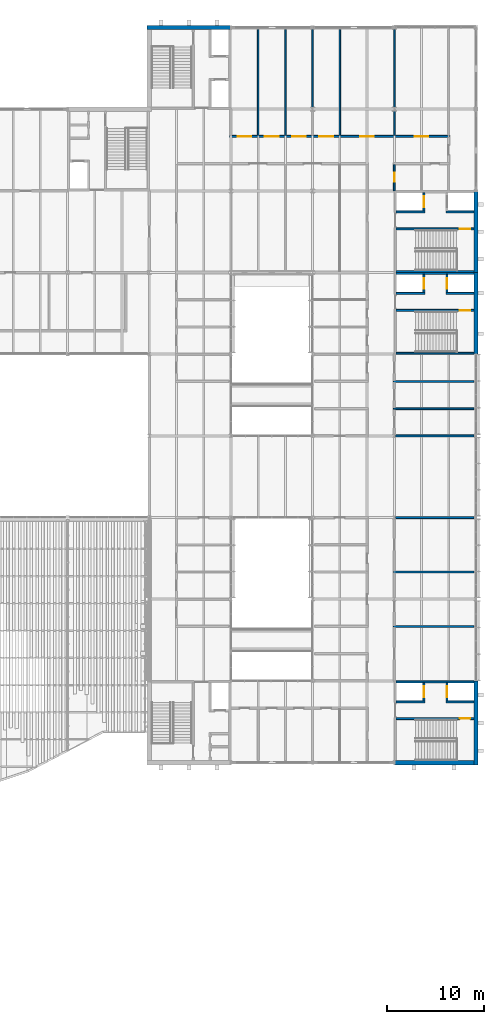
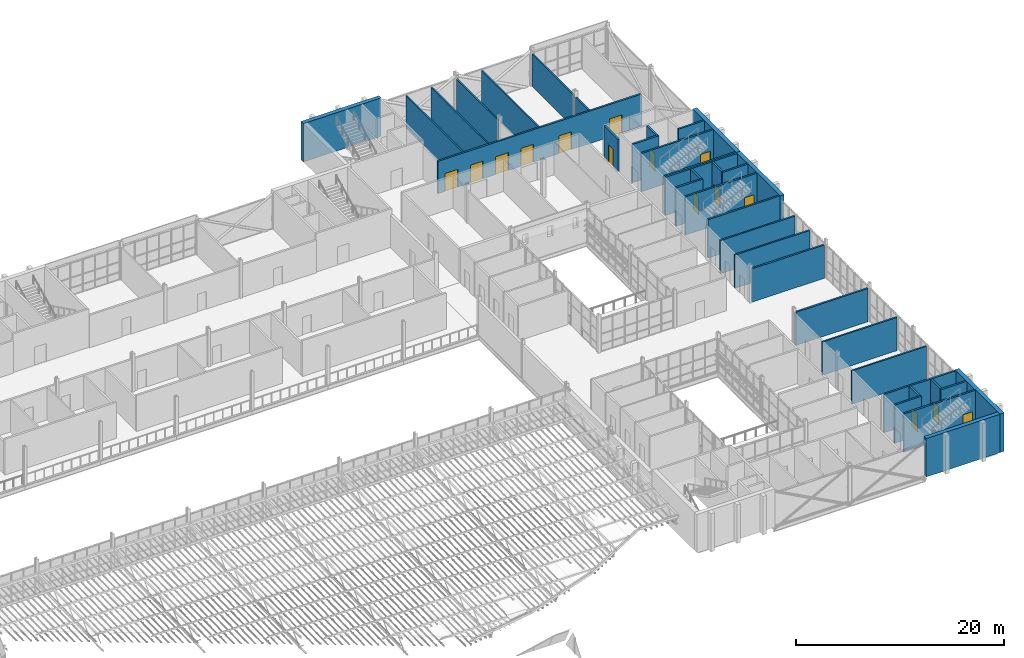
# One storey, part 95 of 129: 37 walls, 15 doors, 15 openings.
"""IFC4 building model written with IfcOpenShell, lengths in metres."""

from ifc_helpers import new_model, si_unit, direction, frame, frame_2d, origin, place, context, subcontext, project, spatial, rectangle, extrude, material, layer, layer_set, type_object, element, fill, save


model = new_model("IFC4")

# Units and contexts
model_context = context("Model", 3, precision=1e-05, world=origin(), true_north=direction((0.0, 1.0)))
body_context = subcontext(model_context, "Body", "Model", "MODEL_VIEW")
ifc_project = project(units=[si_unit("LENGTHUNIT", "METRE"), si_unit("AREAUNIT", "SQUARE_METRE"), si_unit("VOLUMEUNIT", "CUBIC_METRE"), si_unit("PLANEANGLEUNIT", "RADIAN"), si_unit("MASSUNIT", "GRAM", prefix="KILO")], contexts=[model_context])

# Site, building, storey
site_placement = place(None, origin())
site = spatial("IfcSite", under=ifc_project, at=site_placement, CompositionType="ELEMENT")
building_placement = place(site_placement, origin())
building = spatial("IfcBuilding", under=site, at=building_placement, Name="Ardhachandra Cancer Care Centre", CompositionType="ELEMENT")
storey_placement = place(building_placement, frame((0.0, 0.0, 4.5)))
storey = spatial("IfcBuildingStorey", under=building, at=storey_placement, Name="L01", CompositionType="ELEMENT", Elevation=4.5)

# Walls
ifc_material_1 = material(Name="Double-stud gypsum board partition with mineral wool")
ifc_layer_1 = layer(ifc_material_1, 0.179931640625)
ifc_layer_set_1 = layer_set([ifc_layer_1], Name="Double-stud gypsum board partition with mineral wool")
wall_type_1 = type_object("IfcWallType", Name="ACOUSTIC PARTITION 180", PredefinedType="PARTITIONING", material=ifc_layer_set_1)
for number, where, z_axis, x_axis, name in (
    (1, (136.699951171875, 43.39990234375, 0.0), (0.0, 0.0, 1.0), (1.0, 0.0, 0.0), "R/wall/L01/h0043400_0136700"),
    (2, (136.699951171875, 49.0, 0.0), (0.0, 0.0, 1.0), (1.0, 0.0, 0.0), "R/wall/L01/h0049000_0136700"),
    (3, (136.699951171875, 65.800048828125, 0.0), (0.0, 0.0, 1.0), (1.0, 0.0, 0.0), "R/wall/L01/h0065800_0136700"),
    (4, (136.699951171875, 68.60009765625, 0.0), (0.0, 0.0, 1.0), (1.0, 0.0, 0.0), "R/wall/L01/h0068600_0136700"),
):
    element("IfcWall", number, at=place(storey_placement, frame(where, z_axis=z_axis, x_axis=x_axis)), inside=storey, type_object=wall_type_1, Name=name, PredefinedType="PARTITIONING", context=body_context, shape_type="SweptSolid", body=[
        extrude(rectangle(XDim=8.275146484375, YDim=0.179931640625, at=frame_2d((4.1376953125, 0.0))), origin(), (0.0, 0.0, 1.0), 3.89990234375),
    ])
ifc_material_2 = material(Name="Gypsum board corridor partition on steel studs", Category="steel")
ifc_layer_2 = layer(ifc_material_2, 0.199951171875)
ifc_layer_set_2 = layer_set([ifc_layer_2], Name="Gypsum board corridor partition on steel studs")
wall_type_2 = type_object("IfcWallType", Name="CORRIDOR WALL 200", PredefinedType="PARTITIONING", material=ifc_layer_set_2)
for number, where, z_axis, x_axis, name in (
    (5, (136.949951171875, 54.60009765625, 0.0), (0.0, 0.0, 1.0), (1.0, 0.0, 0.0), "R/wall/L01/h0054600_0136950"),
    (6, (136.949951171875, 63.0, 0.0), (0.0, 0.0, 1.0), (1.0, 0.0, 0.0), "R/wall/L01/h0063000_0136950"),
):
    element("IfcWall", number, at=place(storey_placement, frame(where, z_axis=z_axis, x_axis=x_axis)), inside=storey, type_object=wall_type_2, Name=name, PredefinedType="PARTITIONING", context=body_context, shape_type="SweptSolid", body=[
        extrude(rectangle(XDim=8.025146484375, YDim=0.199951171875, at=frame_2d((4.0126953125, 0.0))), origin(), (0.0, 0.0, 1.0), 3.89990234375),
    ])

# Wall, openings, doors
wall_1_placement = place(storey_placement, frame((119.89990234375, 93.800048828125, 0.0), z_axis=(0.0, 0.0, 1.0), x_axis=(1.0, 0.0, 0.0)))
wall_1 = element("IfcWall", 7, at=wall_1_placement, inside=storey, type_object=wall_type_2, Name="R/wall/L01/h0093800_0119900", PredefinedType="PARTITIONING", context=body_context, shape_type="SweptSolid", body=[
    extrude(rectangle(XDim=22.60009765625, YDim=0.199951171875, at=frame_2d((11.300048828125, 0.0))), origin(), (0.0, 0.0, 1.0), 3.800048828125),
])
opening_1_placement = place(wall_1_placement, frame((0.800048828125, 0.0, 0.0)))
opening_1 = element("IfcOpeningElement", 8, at=opening_1_placement, cuts=wall_1, Name="Opening L01-0038", PredefinedType="OPENING", context=body_context, shape_type="SweptSolid", body=[
    extrude(rectangle(XDim=1.39990234375, YDim=2.10009765625, at=frame_2d((0.699951171875, 1.050048828125))), frame((0.0, 0.10986328125, 0.0), z_axis=(0.0, -1.0, 0.0), x_axis=(1.0, 0.0, 0.0)), (0.0, 0.0, 1.0), 0.219970703125),
])
opening_2_placement = place(wall_1_placement, frame((3.60009765625, 0.0, 0.0)))
opening_2 = element("IfcOpeningElement", 9, at=opening_2_placement, cuts=wall_1, Name="Opening L01-0039", PredefinedType="OPENING", context=body_context, shape_type="SweptSolid", body=[
    extrude(rectangle(XDim=1.39990234375, YDim=2.10009765625, at=frame_2d((0.699951171875, 1.050048828125))), frame((0.0, 0.10986328125, 0.0), z_axis=(0.0, -1.0, 0.0), x_axis=(1.0, 0.0, 0.0)), (0.0, 0.0, 1.0), 0.219970703125),
])
opening_3_placement = place(wall_1_placement, frame((6.39990234375, 0.0, 0.0)))
opening_3 = element("IfcOpeningElement", 10, at=opening_3_placement, cuts=wall_1, Name="Opening L01-0040", PredefinedType="OPENING", context=body_context, shape_type="SweptSolid", body=[
    extrude(rectangle(XDim=1.39990234375, YDim=2.10009765625, at=frame_2d((0.699951171875, 1.050048828125))), frame((0.0, 0.10986328125, 0.0), z_axis=(0.0, -1.0, 0.0), x_axis=(1.0, 0.0, 0.0)), (0.0, 0.0, 1.0), 0.219970703125),
])
opening_4_placement = place(wall_1_placement, frame((9.199951171875, 0.0, 0.0)))
opening_4 = element("IfcOpeningElement", 11, at=opening_4_placement, cuts=wall_1, Name="Opening L01-0041", PredefinedType="OPENING", context=body_context, shape_type="SweptSolid", body=[
    extrude(rectangle(XDim=1.39990234375, YDim=2.10009765625, at=frame_2d((0.699951171875, 1.050048828125))), frame((0.0, 0.10986328125, 0.0), z_axis=(0.0, -1.0, 0.0), x_axis=(1.0, 0.0, 0.0)), (0.0, 0.0, 1.0), 0.219970703125),
])
opening_5_placement = place(wall_1_placement, frame((13.39990234375, 0.0, 0.0)))
opening_5 = element("IfcOpeningElement", 12, at=opening_5_placement, cuts=wall_1, Name="Opening L01-0042", PredefinedType="OPENING", context=body_context, shape_type="SweptSolid", body=[
    extrude(rectangle(XDim=1.39990234375, YDim=2.10009765625, at=frame_2d((0.699951171875, 1.050048828125))), frame((0.0, 0.10986328125, 0.0), z_axis=(0.0, -1.0, 0.0), x_axis=(1.0, 0.0, 0.0)), (0.0, 0.0, 1.0), 0.219970703125),
])
opening_6_placement = place(wall_1_placement, frame((19.0, 0.0, 0.0)))
opening_6 = element("IfcOpeningElement", 13, at=opening_6_placement, cuts=wall_1, Name="Opening L01-0043", PredefinedType="OPENING", context=body_context, shape_type="SweptSolid", body=[
    extrude(rectangle(XDim=1.39990234375, YDim=2.10009765625, at=frame_2d((0.699951171875, 1.050048828125))), frame((0.0, 0.10986328125, 0.0), z_axis=(0.0, -1.0, 0.0), x_axis=(1.0, 0.0, 0.0)), (0.0, 0.0, 1.0), 0.219970703125),
])
ifc_material_3 = material(Name="Timber fire door with smoke seals", Category="wood")
door_type_1 = type_object("IfcDoorType", Name="BED ACCESS DOOR 1400x2100 FD30S", OperationType="NOTDEFINED", PredefinedType="DOOR", material=ifc_material_3)
door_1_placement = place(opening_1_placement, origin())
door_1 = element("IfcDoor", 14, at=door_1_placement, inside=storey, type_object=door_type_1, Name="Door L01-0038", OperationType="DOUBLE_DOOR_SINGLE_SWING", OverallHeight=2.10009765625, OverallWidth=1.39990234375, PredefinedType="DOOR", context=body_context, shape_type="SweptSolid", body=[
    extrude(rectangle(XDim=1.39990234375, YDim=2.10009765625, at=frame_2d((0.699951171875, 1.050048828125))), frame((0.0, 0.02490234375, 0.0), z_axis=(0.0, -1.0, 0.0), x_axis=(1.0, 0.0, 0.0)), (0.0, 0.0, 1.0), 0.050048828125),
])
fill(opening_1, door_1)
door_2_placement = place(opening_2_placement, origin())
door_2 = element("IfcDoor", 15, at=door_2_placement, inside=storey, type_object=door_type_1, Name="Door L01-0039", OperationType="DOUBLE_DOOR_SINGLE_SWING", OverallHeight=2.10009765625, OverallWidth=1.39990234375, PredefinedType="DOOR", context=body_context, shape_type="SweptSolid", body=[
    extrude(rectangle(XDim=1.39990234375, YDim=2.10009765625, at=frame_2d((0.699951171875, 1.050048828125))), frame((0.0, 0.02490234375, 0.0), z_axis=(0.0, -1.0, 0.0), x_axis=(1.0, 0.0, 0.0)), (0.0, 0.0, 1.0), 0.050048828125),
])
fill(opening_2, door_2)
door_3_placement = place(opening_3_placement, origin())
door_3 = element("IfcDoor", 16, at=door_3_placement, inside=storey, type_object=door_type_1, Name="Door L01-0040", OperationType="DOUBLE_DOOR_SINGLE_SWING", OverallHeight=2.10009765625, OverallWidth=1.39990234375, PredefinedType="DOOR", context=body_context, shape_type="SweptSolid", body=[
    extrude(rectangle(XDim=1.39990234375, YDim=2.10009765625, at=frame_2d((0.699951171875, 1.050048828125))), frame((0.0, 0.02490234375, 0.0), z_axis=(0.0, -1.0, 0.0), x_axis=(1.0, 0.0, 0.0)), (0.0, 0.0, 1.0), 0.050048828125),
])
fill(opening_3, door_3)
door_4_placement = place(opening_4_placement, origin())
door_4 = element("IfcDoor", 17, at=door_4_placement, inside=storey, type_object=door_type_1, Name="Door L01-0041", OperationType="DOUBLE_DOOR_SINGLE_SWING", OverallHeight=2.10009765625, OverallWidth=1.39990234375, PredefinedType="DOOR", context=body_context, shape_type="SweptSolid", body=[
    extrude(rectangle(XDim=1.39990234375, YDim=2.10009765625, at=frame_2d((0.699951171875, 1.050048828125))), frame((0.0, 0.02490234375, 0.0), z_axis=(0.0, -1.0, 0.0), x_axis=(1.0, 0.0, 0.0)), (0.0, 0.0, 1.0), 0.050048828125),
])
fill(opening_4, door_4)
door_5_placement = place(opening_5_placement, origin())
door_5 = element("IfcDoor", 18, at=door_5_placement, inside=storey, type_object=door_type_1, Name="Door L01-0042", OperationType="DOUBLE_DOOR_SINGLE_SWING", OverallHeight=2.10009765625, OverallWidth=1.39990234375, PredefinedType="DOOR", context=body_context, shape_type="SweptSolid", body=[
    extrude(rectangle(XDim=1.39990234375, YDim=2.10009765625, at=frame_2d((0.699951171875, 1.050048828125))), frame((0.0, 0.02490234375, 0.0), z_axis=(0.0, -1.0, 0.0), x_axis=(1.0, 0.0, 0.0)), (0.0, 0.0, 1.0), 0.050048828125),
])
fill(opening_5, door_5)
door_6_placement = place(opening_6_placement, origin())
door_6 = element("IfcDoor", 19, at=door_6_placement, inside=storey, type_object=door_type_1, Name="Door L01-0043", OperationType="DOUBLE_DOOR_SINGLE_SWING", OverallHeight=2.10009765625, OverallWidth=1.39990234375, PredefinedType="DOOR", context=body_context, shape_type="SweptSolid", body=[
    extrude(rectangle(XDim=1.39990234375, YDim=2.10009765625, at=frame_2d((0.699951171875, 1.050048828125))), frame((0.0, 0.02490234375, 0.0), z_axis=(0.0, -1.0, 0.0), x_axis=(1.0, 0.0, 0.0)), (0.0, 0.0, 1.0), 0.050048828125),
])
fill(opening_6, door_6)

# Wall, opening, door
wall_2_placement = place(storey_placement, frame((136.800048828125, 88.199951171875, 0.0), z_axis=(0.0, 0.0, 1.0), x_axis=(0.0, 1.0, 0.0)))
wall_2 = element("IfcWall", 20, at=wall_2_placement, inside=storey, type_object=wall_type_2, Name="R/wall/L01/v0136800_0088200", PredefinedType="PARTITIONING", context=body_context, shape_type="SweptSolid", body=[
    extrude(rectangle(XDim=2.699951171875, YDim=0.199951171875, at=frame_2d((1.35009765625, 0.0))), origin(), (0.0, 0.0, 1.0), 3.800048828125),
])
opening_7_placement = place(wall_2_placement, frame((0.949951171875, 0.0, 0.0)))
opening_7 = element("IfcOpeningElement", 21, at=opening_7_placement, cuts=wall_2, Name="Opening L01-0092", PredefinedType="OPENING", context=body_context, shape_type="SweptSolid", body=[
    extrude(rectangle(XDim=0.89990234375, YDim=2.10009765625, at=frame_2d((0.449951171875, 1.050048828125))), frame((0.0, 0.10986328125, 0.0), z_axis=(0.0, -1.0, 0.0), x_axis=(1.0, 0.0, 0.0)), (0.0, 0.0, 1.0), 0.219970703125),
])
ifc_material_4 = material(Name="Timber fire door with smoke seals", Category="wood")
door_type_2 = type_object("IfcDoorType", Name="FIRE DOOR WC 900x2100 FD30S", OperationType="NOTDEFINED", PredefinedType="DOOR", material=ifc_material_4)
door_7_placement = place(opening_7_placement, origin())
door_7 = element("IfcDoor", 22, at=door_7_placement, inside=storey, type_object=door_type_2, Name="Door L01-0092", OperationType="SINGLE_SWING_LEFT", OverallHeight=2.10009765625, OverallWidth=0.89990234375, PredefinedType="DOOR", context=body_context, shape_type="SweptSolid", body=[
    extrude(rectangle(XDim=0.89990234375, YDim=2.10009765625, at=frame_2d((0.449951171875, 1.050048828125))), frame((0.0, 0.02490234375, 0.0), z_axis=(0.0, -1.0, 0.0), x_axis=(1.0, 0.0, 0.0)), (0.0, 0.0, 1.0), 0.050048828125),
])
fill(opening_7, door_7)

# Walls
ifc_material_5 = material(Name="Concrete M40", Category="concrete")
ifc_layer_3 = layer(ifc_material_5, 0.449951171875)
ifc_layer_set_3 = layer_set([ifc_layer_3], Name="Concrete M40")
wall_type_3 = type_object("IfcWallType", Name="Core exterior wall RC 450", PredefinedType="SOLIDWALL", material=ifc_layer_set_3)
wall_3_placement = place(storey_placement, frame((145.199951171875, 29.175048828125, 0.0), z_axis=(0.0, 0.0, 1.0), x_axis=(0.0, 1.0, 0.0)))
element("IfcWall", 23, at=wall_3_placement, inside=storey, type_object=wall_type_3, Name="Core wall K9 FAR", PredefinedType="SOLIDWALL", context=body_context, shape_type="SweptSolid", body=[
    extrude(rectangle(XDim=8.625, YDim=0.449951171875, at=frame_2d((4.3125, 0.0))), origin(), (0.0, 0.0, 1.0), 4.5),
])
wall_4_placement = place(storey_placement, frame((136.800048828125, 29.39990234375, 0.0), z_axis=(0.0, 0.0, 1.0), x_axis=(1.0, 0.0, 0.0)))
element("IfcWall", 24, at=wall_4_placement, inside=storey, type_object=wall_type_3, Name="Core wall K9 UW", PredefinedType="SOLIDWALL", context=body_context, shape_type="SweptSolid", body=[
    extrude(rectangle(XDim=8.175048828125, YDim=0.449951171875, at=frame_2d((4.08740234375, 0.0))), origin(), (0.0, 0.0, 1.0), 4.5),
])
wall_5_placement = place(storey_placement, frame((145.199951171875, 71.39990234375, 0.0), z_axis=(0.0, 0.0, 1.0), x_axis=(0.0, 1.0, 0.0)))
element("IfcWall", 25, at=wall_5_placement, inside=storey, type_object=wall_type_3, Name="Core wall K10 FAR", PredefinedType="SOLIDWALL", context=body_context, shape_type="SweptSolid", body=[
    extrude(rectangle(XDim=8.400146484375, YDim=0.449951171875, at=frame_2d((4.2001953125, 0.0))), origin(), (0.0, 0.0, 1.0), 4.5),
])
wall_6_placement = place(storey_placement, frame((111.375, 105.0, 0.0), z_axis=(0.0, 0.0, 1.0), x_axis=(1.0, 0.0, 0.0)))
element("IfcWall", 26, at=wall_6_placement, inside=storey, type_object=wall_type_3, Name="Core wall K12 FAR", PredefinedType="SOLIDWALL", context=body_context, shape_type="SweptSolid", body=[
    extrude(rectangle(XDim=8.625, YDim=0.449951171875, at=frame_2d((4.3125, 0.0))), origin(), (0.0, 0.0, 1.0), 4.5),
])
wall_7_placement = place(storey_placement, frame((145.199951171875, 79.800048828125, 0.0), z_axis=(0.0, 0.0, 1.0), x_axis=(0.0, 1.0, 0.0)))
element("IfcWall", 27, at=wall_7_placement, inside=storey, type_object=wall_type_3, Name="Core wall K13 FAR", PredefinedType="SOLIDWALL", context=body_context, shape_type="SweptSolid", body=[
    extrude(rectangle(XDim=8.39990234375, YDim=0.449951171875, at=frame_2d((4.199951171875, 0.0))), origin(), (0.0, 0.0, 1.0), 4.5),
])
ifc_material_6 = material(Name="Concrete M40", Category="concrete")
ifc_layer_4 = layer(ifc_material_6, 0.199951171875)
ifc_layer_set_4 = layer_set([ifc_layer_4], Name="Concrete M40")
wall_type_4 = type_object("IfcWallType", Name="Core wall RC 200", PredefinedType="SOLIDWALL", material=ifc_layer_set_4)
wall_8_placement = place(storey_placement, frame((137.0, 37.699951171875, 0.0), z_axis=(0.0, 0.0, 1.0), x_axis=(1.0, 0.0, 0.0)))
element("IfcWall", 28, at=wall_8_placement, inside=storey, type_object=wall_type_4, Name="Core wall K9 UE", PredefinedType="SOLIDWALL", context=body_context, shape_type="SweptSolid", body=[
    extrude(rectangle(XDim=7.97509765625, YDim=0.199951171875, at=frame_2d((3.987548828125, 0.0))), origin(), (0.0, 0.0, 1.0), 4.5),
])

# Wall, opening, door
wall_9_placement = place(storey_placement, frame((137.0, 33.925048828125, 0.0), z_axis=(0.0, 0.0, 1.0), x_axis=(1.0, 0.0, 0.0)))
wall_9 = element("IfcWall", 29, at=wall_9_placement, inside=storey, type_object=wall_type_4, Name="Core wall K9 P1", PredefinedType="SOLIDWALL", context=body_context, shape_type="SweptSolid", body=[
    extrude(rectangle(XDim=7.97509765625, YDim=0.199951171875, at=frame_2d((3.987548828125, 0.0))), origin(), (0.0, 0.0, 1.0), 4.5),
])
opening_8_placement = place(wall_9_placement, frame((6.53759765625, 0.0, 0.0)))
opening_8 = element("IfcOpeningElement", 30, at=opening_8_placement, cuts=wall_9, Name="Opening L01-K09-2", PredefinedType="OPENING", context=body_context, shape_type="SweptSolid", body=[
    extrude(rectangle(XDim=1.10009765625, YDim=2.10009765625, at=frame_2d((0.550048828125, 1.050048828125))), frame((0.0, 0.10986328125, 0.0), z_axis=(0.0, -1.0, 0.0), x_axis=(1.0, 0.0, 0.0)), (0.0, 0.0, 1.0), 0.219970703125),
])
ifc_material_7 = material(Name="Steel door set", Category="steel")
door_type_3 = type_object("IfcDoorType", Name="Stair door 1100x2100 FD60S", OperationType="NOTDEFINED", PredefinedType="DOOR", material=ifc_material_7)
door_8_placement = place(opening_8_placement, origin())
door_8 = element("IfcDoor", 31, at=door_8_placement, inside=storey, type_object=door_type_3, Name="Stair door", OperationType="SINGLE_SWING_LEFT", OverallHeight=2.10009765625, OverallWidth=1.10009765625, PredefinedType="DOOR", context=body_context, shape_type="SweptSolid", body=[
    extrude(rectangle(XDim=1.10009765625, YDim=2.10009765625, at=frame_2d((0.550048828125, 1.050048828125))), frame((0.0, 0.02490234375, 0.0), z_axis=(0.0, -1.0, 0.0), x_axis=(1.0, 0.0, 0.0)), (0.0, 0.0, 1.0), 0.050048828125),
])
fill(opening_8, door_8)

# Walls
wall_10_placement = place(storey_placement, frame((137.0, 35.64990234375, 0.0), z_axis=(0.0, 0.0, 1.0), x_axis=(1.0, 0.0, 0.0)))
element("IfcWall", 32, at=wall_10_placement, inside=storey, type_object=wall_type_4, Name="Core wall K9 P2A", PredefinedType="SOLIDWALL", context=body_context, shape_type="SweptSolid", body=[
    extrude(rectangle(XDim=2.949951171875, YDim=0.199951171875, at=frame_2d((1.47509765625, 0.0))), origin(), (0.0, 0.0, 1.0), 4.5),
])
wall_11_placement = place(storey_placement, frame((142.125, 35.64990234375, 0.0), z_axis=(0.0, 0.0, 1.0), x_axis=(1.0, 0.0, 0.0)))
element("IfcWall", 33, at=wall_11_placement, inside=storey, type_object=wall_type_4, Name="Core wall K9 P2B", PredefinedType="SOLIDWALL", context=body_context, shape_type="SweptSolid", body=[
    extrude(rectangle(XDim=2.85009765625, YDim=0.199951171875, at=frame_2d((1.425048828125, 0.0))), origin(), (0.0, 0.0, 1.0), 4.5),
])

# Wall, opening, door
wall_12_placement = place(storey_placement, frame((139.85009765625, 35.75, 0.0), z_axis=(0.0, 0.0, 1.0), x_axis=(0.0, 1.0, 0.0)))
wall_12 = element("IfcWall", 34, at=wall_12_placement, inside=storey, type_object=wall_type_4, Name="Core wall K9 W1", PredefinedType="SOLIDWALL", context=body_context, shape_type="SweptSolid", body=[
    extrude(rectangle(XDim=1.85009765625, YDim=0.199951171875, at=frame_2d((0.925048828125, 0.0))), origin(), (0.0, 0.0, 1.0), 4.5),
])
opening_9_placement = place(wall_12_placement, frame((0.375, 0.0, 0.0)))
opening_9 = element("IfcOpeningElement", 35, at=opening_9_placement, cuts=wall_12, Name="Opening L01-K09-3", PredefinedType="OPENING", context=body_context, shape_type="SweptSolid", body=[
    extrude(rectangle(XDim=1.10009765625, YDim=2.10009765625, at=frame_2d((0.550048828125, 1.050048828125))), frame((0.0, 0.10986328125, 0.0), z_axis=(0.0, -1.0, 0.0), x_axis=(1.0, 0.0, 0.0)), (0.0, 0.0, 1.0), 0.219970703125),
])
ifc_material_8 = material(Name="Stainless steel (grade 304)", Category="steel")
door_type_4 = type_object("IfcDoorType", Name="Lift landing door 1100x2100", OperationType="DOUBLE_DOOR_SLIDING", PredefinedType="DOOR", material=ifc_material_8)
door_9_placement = place(opening_9_placement, origin())
door_9 = element("IfcDoor", 36, at=door_9_placement, inside=storey, type_object=door_type_4, Name="Lift landing door LF-K9-1", OperationType="DOUBLE_DOOR_SLIDING", OverallHeight=2.10009765625, OverallWidth=1.10009765625, PredefinedType="DOOR", context=body_context, shape_type="SweptSolid", body=[
    extrude(rectangle(XDim=1.10009765625, YDim=2.10009765625, at=frame_2d((0.550048828125, 1.050048828125))), frame((0.0, 0.02490234375, 0.0), z_axis=(0.0, -1.0, 0.0), x_axis=(1.0, 0.0, 0.0)), (0.0, 0.0, 1.0), 0.050048828125),
])
fill(opening_9, door_9)

wall_13_placement = place(storey_placement, frame((142.22509765625, 35.75, 0.0), z_axis=(0.0, 0.0, 1.0), x_axis=(0.0, 1.0, 0.0)))
wall_13 = element("IfcWall", 37, at=wall_13_placement, inside=storey, type_object=wall_type_4, Name="Core wall K9 W2", PredefinedType="SOLIDWALL", context=body_context, shape_type="SweptSolid", body=[
    extrude(rectangle(XDim=1.85009765625, YDim=0.199951171875, at=frame_2d((0.925048828125, 0.0))), origin(), (0.0, 0.0, 1.0), 4.5),
])
opening_10_placement = place(wall_13_placement, frame((0.375, 0.0, 0.0)))
opening_10 = element("IfcOpeningElement", 38, at=opening_10_placement, cuts=wall_13, Name="Opening L01-K09-4", PredefinedType="OPENING", context=body_context, shape_type="SweptSolid", body=[
    extrude(rectangle(XDim=1.10009765625, YDim=2.10009765625, at=frame_2d((0.550048828125, 1.050048828125))), frame((0.0, 0.10986328125, 0.0), z_axis=(0.0, -1.0, 0.0), x_axis=(1.0, 0.0, 0.0)), (0.0, 0.0, 1.0), 0.219970703125),
])
door_10_placement = place(opening_10_placement, origin())
door_10 = element("IfcDoor", 39, at=door_10_placement, inside=storey, type_object=door_type_4, Name="Lift landing door LF-K9-2", OperationType="DOUBLE_DOOR_SLIDING", OverallHeight=2.10009765625, OverallWidth=1.10009765625, PredefinedType="DOOR", context=body_context, shape_type="SweptSolid", body=[
    extrude(rectangle(XDim=1.10009765625, YDim=2.10009765625, at=frame_2d((0.550048828125, 1.050048828125))), frame((0.0, 0.02490234375, 0.0), z_axis=(0.0, -1.0, 0.0), x_axis=(1.0, 0.0, 0.0)), (0.0, 0.0, 1.0), 0.050048828125),
])
fill(opening_10, door_10)

# Walls
for number, where, z_axis, x_axis, name in (
    (40, (137.0, 71.5, 0.0), (0.0, 0.0, 1.0), (1.0, 0.0, 0.0), "Core wall K10 UW"),
    (41, (137.0, 79.699951171875, 0.0), (0.0, 0.0, 1.0), (1.0, 0.0, 0.0), "Core wall K10 UE"),
):
    element("IfcWall", number, at=place(storey_placement, frame(where, z_axis=z_axis, x_axis=x_axis)), inside=storey, type_object=wall_type_4, Name=name, PredefinedType="SOLIDWALL", context=body_context, shape_type="SweptSolid", body=[
        extrude(rectangle(XDim=7.97509765625, YDim=0.199951171875, at=frame_2d((3.987548828125, 0.0))), origin(), (0.0, 0.0, 1.0), 4.5),
    ])

# Wall, opening, door
wall_14_placement = place(storey_placement, frame((137.0, 75.89990234375, 0.0), z_axis=(0.0, 0.0, 1.0), x_axis=(1.0, 0.0, 0.0)))
wall_14 = element("IfcWall", 42, at=wall_14_placement, inside=storey, type_object=wall_type_4, Name="Core wall K10 P1", PredefinedType="SOLIDWALL", context=body_context, shape_type="SweptSolid", body=[
    extrude(rectangle(XDim=7.97509765625, YDim=0.199951171875, at=frame_2d((3.987548828125, 0.0))), origin(), (0.0, 0.0, 1.0), 4.5),
])
opening_11_placement = place(wall_14_placement, frame((6.53759765625, 0.0, 0.0)))
opening_11 = element("IfcOpeningElement", 43, at=opening_11_placement, cuts=wall_14, Name="Opening L01-K10-2", PredefinedType="OPENING", context=body_context, shape_type="SweptSolid", body=[
    extrude(rectangle(XDim=1.10009765625, YDim=2.10009765625, at=frame_2d((0.550048828125, 1.050048828125))), frame((0.0, 0.10986328125, 0.0), z_axis=(0.0, -1.0, 0.0), x_axis=(1.0, 0.0, 0.0)), (0.0, 0.0, 1.0), 0.219970703125),
])
door_11_placement = place(opening_11_placement, origin())
door_11 = element("IfcDoor", 44, at=door_11_placement, inside=storey, type_object=door_type_3, Name="Stair door", OperationType="SINGLE_SWING_LEFT", OverallHeight=2.10009765625, OverallWidth=1.10009765625, PredefinedType="DOOR", context=body_context, shape_type="SweptSolid", body=[
    extrude(rectangle(XDim=1.10009765625, YDim=2.10009765625, at=frame_2d((0.550048828125, 1.050048828125))), frame((0.0, 0.02490234375, 0.0), z_axis=(0.0, -1.0, 0.0), x_axis=(1.0, 0.0, 0.0)), (0.0, 0.0, 1.0), 0.050048828125),
])
fill(opening_11, door_11)

# Walls
wall_15_placement = place(storey_placement, frame((137.0, 77.64990234375, 0.0), z_axis=(0.0, 0.0, 1.0), x_axis=(1.0, 0.0, 0.0)))
element("IfcWall", 45, at=wall_15_placement, inside=storey, type_object=wall_type_4, Name="Core wall K10 P2A", PredefinedType="SOLIDWALL", context=body_context, shape_type="SweptSolid", body=[
    extrude(rectangle(XDim=2.949951171875, YDim=0.199951171875, at=frame_2d((1.47509765625, 0.0))), origin(), (0.0, 0.0, 1.0), 4.5),
])
wall_16_placement = place(storey_placement, frame((142.125, 77.64990234375, 0.0), z_axis=(0.0, 0.0, 1.0), x_axis=(1.0, 0.0, 0.0)))
element("IfcWall", 46, at=wall_16_placement, inside=storey, type_object=wall_type_4, Name="Core wall K10 P2B", PredefinedType="SOLIDWALL", context=body_context, shape_type="SweptSolid", body=[
    extrude(rectangle(XDim=2.85009765625, YDim=0.199951171875, at=frame_2d((1.425048828125, 0.0))), origin(), (0.0, 0.0, 1.0), 4.5),
])

# Wall, opening, door
wall_17_placement = place(storey_placement, frame((139.85009765625, 77.75, 0.0), z_axis=(0.0, 0.0, 1.0), x_axis=(0.0, 1.0, 0.0)))
wall_17 = element("IfcWall", 47, at=wall_17_placement, inside=storey, type_object=wall_type_4, Name="Core wall K10 W1", PredefinedType="SOLIDWALL", context=body_context, shape_type="SweptSolid", body=[
    extrude(rectangle(XDim=1.85009765625, YDim=0.199951171875, at=frame_2d((0.925048828125, 0.0))), origin(), (0.0, 0.0, 1.0), 4.5),
])
opening_12_placement = place(wall_17_placement, frame((0.375, 0.0, 0.0)))
opening_12 = element("IfcOpeningElement", 48, at=opening_12_placement, cuts=wall_17, Name="Opening L01-K10-3", PredefinedType="OPENING", context=body_context, shape_type="SweptSolid", body=[
    extrude(rectangle(XDim=1.10009765625, YDim=2.10009765625, at=frame_2d((0.550048828125, 1.050048828125))), frame((0.0, 0.10986328125, 0.0), z_axis=(0.0, -1.0, 0.0), x_axis=(1.0, 0.0, 0.0)), (0.0, 0.0, 1.0), 0.219970703125),
])
door_12_placement = place(opening_12_placement, origin())
door_12 = element("IfcDoor", 49, at=door_12_placement, inside=storey, type_object=door_type_4, Name="Lift landing door LF-K10-1", OperationType="DOUBLE_DOOR_SLIDING", OverallHeight=2.10009765625, OverallWidth=1.10009765625, PredefinedType="DOOR", context=body_context, shape_type="SweptSolid", body=[
    extrude(rectangle(XDim=1.10009765625, YDim=2.10009765625, at=frame_2d((0.550048828125, 1.050048828125))), frame((0.0, 0.02490234375, 0.0), z_axis=(0.0, -1.0, 0.0), x_axis=(1.0, 0.0, 0.0)), (0.0, 0.0, 1.0), 0.050048828125),
])
fill(opening_12, door_12)

wall_18_placement = place(storey_placement, frame((142.22509765625, 77.75, 0.0), z_axis=(0.0, 0.0, 1.0), x_axis=(0.0, 1.0, 0.0)))
wall_18 = element("IfcWall", 50, at=wall_18_placement, inside=storey, type_object=wall_type_4, Name="Core wall K10 W2", PredefinedType="SOLIDWALL", context=body_context, shape_type="SweptSolid", body=[
    extrude(rectangle(XDim=1.85009765625, YDim=0.199951171875, at=frame_2d((0.925048828125, 0.0))), origin(), (0.0, 0.0, 1.0), 4.5),
])
opening_13_placement = place(wall_18_placement, frame((0.375, 0.0, 0.0)))
opening_13 = element("IfcOpeningElement", 51, at=opening_13_placement, cuts=wall_18, Name="Opening L01-K10-4", PredefinedType="OPENING", context=body_context, shape_type="SweptSolid", body=[
    extrude(rectangle(XDim=1.10009765625, YDim=2.10009765625, at=frame_2d((0.550048828125, 1.050048828125))), frame((0.0, 0.10986328125, 0.0), z_axis=(0.0, -1.0, 0.0), x_axis=(1.0, 0.0, 0.0)), (0.0, 0.0, 1.0), 0.219970703125),
])
door_13_placement = place(opening_13_placement, origin())
door_13 = element("IfcDoor", 52, at=door_13_placement, inside=storey, type_object=door_type_4, Name="Lift landing door LF-K10-2", OperationType="DOUBLE_DOOR_SLIDING", OverallHeight=2.10009765625, OverallWidth=1.10009765625, PredefinedType="DOOR", context=body_context, shape_type="SweptSolid", body=[
    extrude(rectangle(XDim=1.10009765625, YDim=2.10009765625, at=frame_2d((0.550048828125, 1.050048828125))), frame((0.0, 0.02490234375, 0.0), z_axis=(0.0, -1.0, 0.0), x_axis=(1.0, 0.0, 0.0)), (0.0, 0.0, 1.0), 0.050048828125),
])
fill(opening_13, door_13)

# Wall
wall_19_placement = place(storey_placement, frame((137.0, 79.89990234375, 0.0), z_axis=(0.0, 0.0, 1.0), x_axis=(1.0, 0.0, 0.0)))
element("IfcWall", 53, at=wall_19_placement, inside=storey, type_object=wall_type_4, Name="Core wall K13 UW", PredefinedType="SOLIDWALL", context=body_context, shape_type="SweptSolid", body=[
    extrude(rectangle(XDim=7.97509765625, YDim=0.199951171875, at=frame_2d((3.987548828125, 0.0))), origin(), (0.0, 0.0, 1.0), 4.5),
])

# Wall, opening, door
wall_20_placement = place(storey_placement, frame((137.0, 84.300048828125, 0.0), z_axis=(0.0, 0.0, 1.0), x_axis=(1.0, 0.0, 0.0)))
wall_20 = element("IfcWall", 54, at=wall_20_placement, inside=storey, type_object=wall_type_4, Name="Core wall K13 P1", PredefinedType="SOLIDWALL", context=body_context, shape_type="SweptSolid", body=[
    extrude(rectangle(XDim=7.97509765625, YDim=0.199951171875, at=frame_2d((3.987548828125, 0.0))), origin(), (0.0, 0.0, 1.0), 4.5),
])
opening_14_placement = place(wall_20_placement, frame((6.53759765625, 0.0, 0.0)))
opening_14 = element("IfcOpeningElement", 55, at=opening_14_placement, cuts=wall_20, Name="Opening L01-K13-2", PredefinedType="OPENING", context=body_context, shape_type="SweptSolid", body=[
    extrude(rectangle(XDim=1.10009765625, YDim=2.10009765625, at=frame_2d((0.550048828125, 1.050048828125))), frame((0.0, 0.10986328125, 0.0), z_axis=(0.0, -1.0, 0.0), x_axis=(1.0, 0.0, 0.0)), (0.0, 0.0, 1.0), 0.219970703125),
])
door_14_placement = place(opening_14_placement, origin())
door_14 = element("IfcDoor", 56, at=door_14_placement, inside=storey, type_object=door_type_3, Name="Stair door", OperationType="SINGLE_SWING_LEFT", OverallHeight=2.10009765625, OverallWidth=1.10009765625, PredefinedType="DOOR", context=body_context, shape_type="SweptSolid", body=[
    extrude(rectangle(XDim=1.10009765625, YDim=2.10009765625, at=frame_2d((0.550048828125, 1.050048828125))), frame((0.0, 0.02490234375, 0.0), z_axis=(0.0, -1.0, 0.0), x_axis=(1.0, 0.0, 0.0)), (0.0, 0.0, 1.0), 0.050048828125),
])
fill(opening_14, door_14)

# Walls
wall_21_placement = place(storey_placement, frame((137.0, 86.050048828125, 0.0), z_axis=(0.0, 0.0, 1.0), x_axis=(1.0, 0.0, 0.0)))
element("IfcWall", 57, at=wall_21_placement, inside=storey, type_object=wall_type_4, Name="Core wall K13 P2A", PredefinedType="SOLIDWALL", context=body_context, shape_type="SweptSolid", body=[
    extrude(rectangle(XDim=2.949951171875, YDim=0.199951171875, at=frame_2d((1.47509765625, 0.0))), origin(), (0.0, 0.0, 1.0), 4.5),
])
wall_22_placement = place(storey_placement, frame((142.125, 86.050048828125, 0.0), z_axis=(0.0, 0.0, 1.0), x_axis=(1.0, 0.0, 0.0)))
element("IfcWall", 58, at=wall_22_placement, inside=storey, type_object=wall_type_4, Name="Core wall K13 P2B", PredefinedType="SOLIDWALL", context=body_context, shape_type="SweptSolid", body=[
    extrude(rectangle(XDim=2.85009765625, YDim=0.199951171875, at=frame_2d((1.425048828125, 0.0))), origin(), (0.0, 0.0, 1.0), 4.5),
])

# Wall, opening, door
wall_23_placement = place(storey_placement, frame((139.85009765625, 86.14990234375, 0.0), z_axis=(0.0, 0.0, 1.0), x_axis=(0.0, 1.0, 0.0)))
wall_23 = element("IfcWall", 59, at=wall_23_placement, inside=storey, type_object=wall_type_4, Name="Core wall K13 W1", PredefinedType="SOLIDWALL", context=body_context, shape_type="SweptSolid", body=[
    extrude(rectangle(XDim=1.85009765625, YDim=0.199951171875, at=frame_2d((0.925048828125, 0.0))), origin(), (0.0, 0.0, 1.0), 4.5),
])
opening_15_placement = place(wall_23_placement, frame((0.375, 0.0, 0.0)))
opening_15 = element("IfcOpeningElement", 60, at=opening_15_placement, cuts=wall_23, Name="Opening L01-K13-3", PredefinedType="OPENING", context=body_context, shape_type="SweptSolid", body=[
    extrude(rectangle(XDim=1.10009765625, YDim=2.10009765625, at=frame_2d((0.550048828125, 1.050048828125))), frame((0.0, 0.10986328125, 0.0), z_axis=(0.0, -1.0, 0.0), x_axis=(1.0, 0.0, 0.0)), (0.0, 0.0, 1.0), 0.219970703125),
])
door_15_placement = place(opening_15_placement, origin())
door_15 = element("IfcDoor", 61, at=door_15_placement, inside=storey, type_object=door_type_4, Name="Lift landing door LF-K13-1", OperationType="DOUBLE_DOOR_SLIDING", OverallHeight=2.10009765625, OverallWidth=1.10009765625, PredefinedType="DOOR", context=body_context, shape_type="SweptSolid", body=[
    extrude(rectangle(XDim=1.10009765625, YDim=2.10009765625, at=frame_2d((0.550048828125, 1.050048828125))), frame((0.0, 0.02490234375, 0.0), z_axis=(0.0, -1.0, 0.0), x_axis=(1.0, 0.0, 0.0)), (0.0, 0.0, 1.0), 0.050048828125),
])
fill(opening_15, door_15)

# Walls
ifc_material_9 = material(Name="Gypsum board partition on steel studs", Category="steel")
ifc_layer_5 = layer(ifc_material_9, 0.14990234375)
ifc_layer_set_5 = layer_set([ifc_layer_5], Name="Gypsum board partition on steel studs")
wall_type_5 = type_object("IfcWallType", Name="PARTITION 150", PredefinedType="PARTITIONING", material=ifc_layer_set_5)
for number, where, z_axis, x_axis, name in (
    (62, (122.800048828125, 93.89990234375, 0.0), (0.0, 0.0, 1.0), (0.0, 1.0, 0.0), "R/wall/L01/v0122800_0093900"),
    (63, (125.60009765625, 93.89990234375, 0.0), (0.0, 0.0, 1.0), (0.0, 1.0, 0.0), "R/wall/L01/v0125600_0093900"),
):
    element("IfcWall", number, at=place(storey_placement, frame(where, z_axis=z_axis, x_axis=x_axis)), inside=storey, type_object=wall_type_5, Name=name, PredefinedType="PARTITIONING", context=body_context, shape_type="SweptSolid", body=[
        extrude(rectangle(XDim=10.875, YDim=0.14990234375, at=frame_2d((5.4375, 0.0))), origin(), (0.0, 0.0, 1.0), 3.800048828125),
    ])
wall_24_placement = place(storey_placement, frame((128.39990234375, 96.797607421875, 0.0), z_axis=(0.0, 0.0, 1.0), x_axis=(0.0, 1.0, 0.0)))
element("IfcWall", 64, at=wall_24_placement, inside=storey, type_object=wall_type_5, Name="R/wall/L01/v0128400_0096798", PredefinedType="PARTITIONING", context=body_context, shape_type="SweptSolid", body=[
    extrude(rectangle(XDim=7.977294921875, YDim=0.14990234375, at=frame_2d((3.98876953125, 0.0))), origin(), (0.0, 0.0, 1.0), 3.800048828125),
])
wall_25_placement = place(storey_placement, frame((131.199951171875, 93.89990234375, 0.0), z_axis=(0.0, 0.0, 1.0), x_axis=(0.0, 1.0, 0.0)))
element("IfcWall", 65, at=wall_25_placement, inside=storey, type_object=wall_type_5, Name="R/wall/L01/v0131200_0093900", PredefinedType="PARTITIONING", context=body_context, shape_type="SweptSolid", body=[
    extrude(rectangle(XDim=10.875, YDim=0.14990234375, at=frame_2d((5.4375, 0.0))), origin(), (0.0, 0.0, 1.0), 3.800048828125),
])
wall_26_placement = place(storey_placement, frame((136.800048828125, 93.89990234375, 0.0), z_axis=(0.0, 0.0, 1.0), x_axis=(0.0, 1.0, 0.0)))
element("IfcWall", 66, at=wall_26_placement, inside=storey, type_object=wall_type_5, Name="R/wall/L01/v0136800_0093900", PredefinedType="PARTITIONING", context=body_context, shape_type="SweptSolid", body=[
    extrude(rectangle(XDim=2.502685546875, YDim=0.14990234375, at=frame_2d((1.25146484375, 0.0))), origin(), (0.0, 0.0, 1.0), 3.800048828125),
])
wall_27_placement = place(storey_placement, frame((136.800048828125, 96.797607421875, 0.0), z_axis=(0.0, 0.0, 1.0), x_axis=(0.0, 1.0, 0.0)))
element("IfcWall", 67, at=wall_27_placement, inside=storey, type_object=wall_type_5, Name="R/wall/L01/v0136800_0096798", PredefinedType="PARTITIONING", context=body_context, shape_type="SweptSolid", body=[
    extrude(rectangle(XDim=7.977294921875, YDim=0.14990234375, at=frame_2d((3.98876953125, 0.0))), origin(), (0.0, 0.0, 1.0), 3.800048828125),
])

save(model, "model.ifc")
